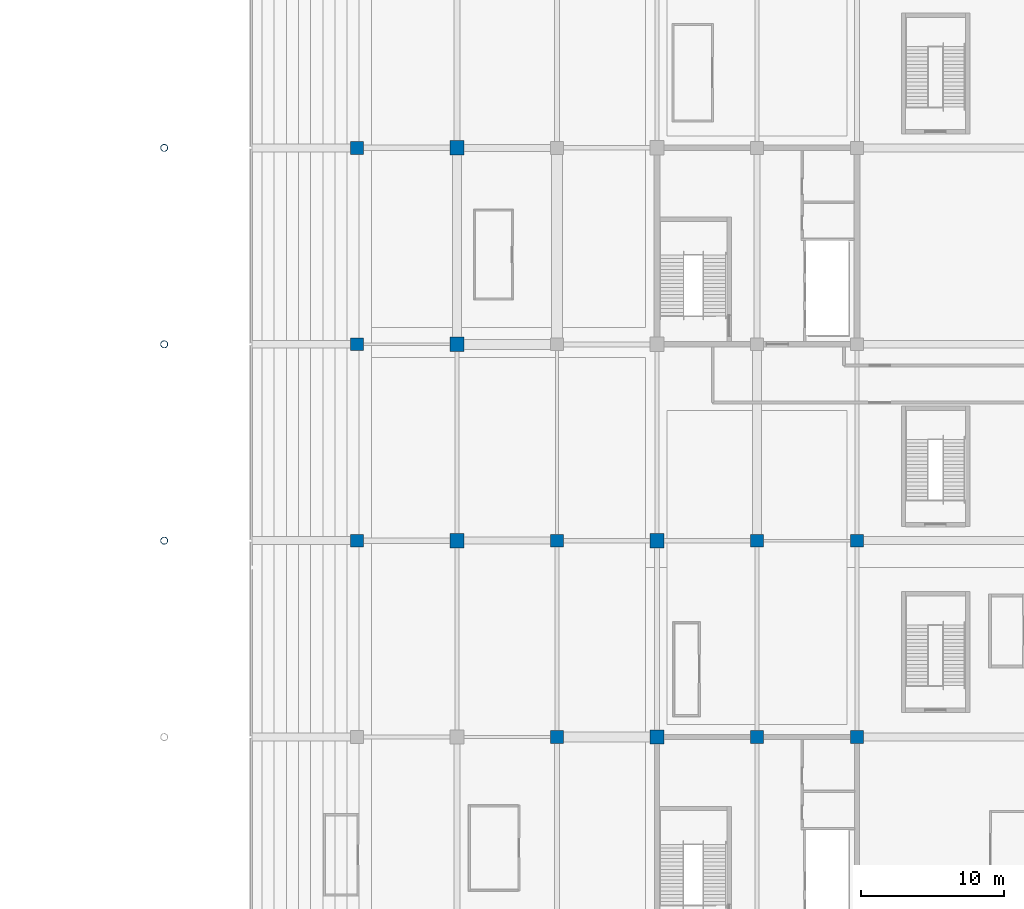
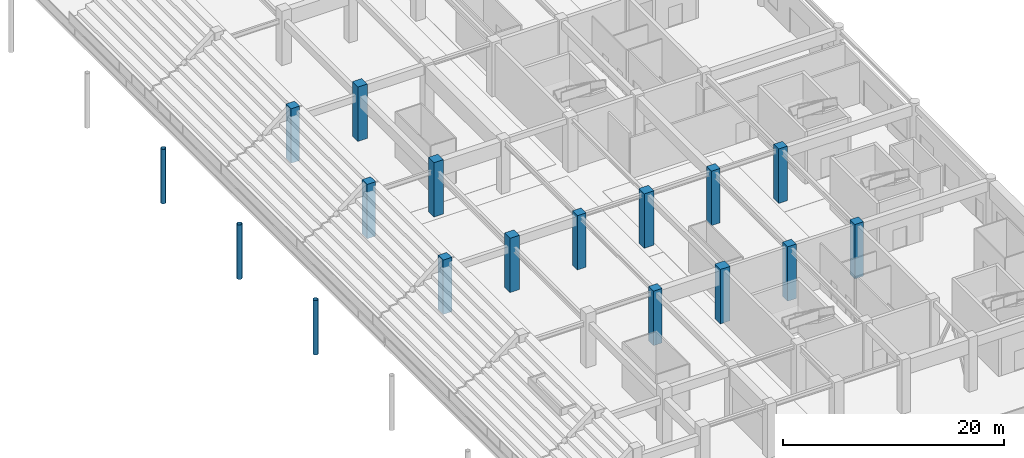
# One storey, part 13 of 73: 17 columns.
"""IFC4 building model written with IfcOpenShell, lengths in metres."""

from ifc_helpers import new_model, si_unit, direction, frame, origin, origin_2d, place, context, subcontext, project, spatial, rectangle, hollow_circle, extrude, material, material_profile, profile_set, type_object, element, save


model = new_model("IFC4")

# Units and contexts
model_context = context("Model", 3, precision=1e-05, world=origin(), true_north=direction((0.0, 1.0)))
body_context = subcontext(model_context, "Body", "Model", "MODEL_VIEW")
ifc_project = project(units=[si_unit("LENGTHUNIT", "METRE"), si_unit("AREAUNIT", "SQUARE_METRE"), si_unit("VOLUMEUNIT", "CUBIC_METRE"), si_unit("PLANEANGLEUNIT", "RADIAN"), si_unit("MASSUNIT", "GRAM", prefix="KILO")], contexts=[model_context])

# Site, building, storey
site_placement = place(None, origin())
site = spatial("IfcSite", under=ifc_project, at=site_placement, CompositionType="ELEMENT")
building_placement = place(site_placement, origin())
building = spatial("IfcBuilding", under=site, at=building_placement, Name="Linyun Crest Stadium", CompositionType="ELEMENT")
storey_placement = place(building_placement, origin())
storey = spatial("IfcBuildingStorey", under=building, at=storey_placement, Name="L01", CompositionType="ELEMENT", Elevation=0.0)

# Columns
ifc_material_1 = material(Name="Concrete C50", Category="concrete")
ifc_material_profile_1 = material_profile(ifc_material_1, rectangle(XDim=0.89990234375, YDim=0.89990234375, at=origin_2d()), Name="RC 900x900")
ifc_profile_set_1 = profile_set([ifc_material_profile_1], Name="Concrete C50")
column_type_1 = type_object("IfcColumnType", Name="C04", PredefinedType="COLUMN", material=ifc_profile_set_1)
for number, where, z_axis, x_axis, name in (
    (1, (49.0, -11.625, 0.0), (0.0, 0.0, 1.0), (1.0, 0.0, 0.0), "Column C04 L01 312"),
    (2, (49.0, 2.125, 0.0), (0.0, 0.0, 1.0), (1.0, 0.0, 0.0), "Column C04 L01 314"),
    (3, (49.0, 15.875, 0.0), (0.0, 0.0, 1.0), (1.0, 0.0, 0.0), "Column C04 L01 316"),
):
    element("IfcColumn", number, at=place(storey_placement, frame(where, z_axis=z_axis, x_axis=x_axis)), inside=storey, type_object=column_type_1, Name=name, PredefinedType="COLUMN", context=body_context, shape_type="SweptSolid", body=[
        extrude(rectangle(XDim=0.89990234375, YDim=0.89990234375, at=origin_2d()), origin(), (0.0, 0.0, 1.0), 6.0),
    ])
for number, where, z_axis, x_axis, name in (
    (4, (63.0, -25.375, 0.0), (0.0, 0.0, 1.0), (1.0, 0.0, 0.0), "Column C04 L01 364"),
    (5, (63.0, -11.625, 0.0), (0.0, 0.0, 1.0), (1.0, 0.0, 0.0), "Column C04 L01 369"),
    (6, (77.0, -25.375, 0.0), (0.0, 0.0, 1.0), (1.0, 0.0, 0.0), "Column C04 L01 452"),
    (7, (77.0, -11.625, 0.0), (0.0, 0.0, 1.0), (1.0, 0.0, 0.0), "Column C04 L01 457"),
    (8, (84.0, -25.375, 0.0), (0.0, 0.0, 1.0), (1.0, 0.0, 0.0), "Column C04 L01 494"),
    (9, (84.0, -11.625, 0.0), (0.0, 0.0, 1.0), (1.0, 0.0, 0.0), "Column C04 L01 500"),
):
    element("IfcColumn", number, at=place(storey_placement, frame(where, z_axis=z_axis, x_axis=x_axis)), inside=storey, type_object=column_type_1, Name=name, PredefinedType="COLUMN", context=body_context, shape_type="SweptSolid", body=[
        extrude(rectangle(XDim=0.89990234375, YDim=0.89990234375, at=origin_2d()), origin(), (0.0, 0.0, 1.0), 5.998046875),
    ])
ifc_material_2 = material(Name="Concrete C50", Category="concrete")
ifc_material_profile_2 = material_profile(ifc_material_2, rectangle(XDim=1.0, YDim=1.0, at=origin_2d()), Name="RC 1000x1000")
ifc_profile_set_2 = profile_set([ifc_material_profile_2], Name="Concrete C50")
column_type_2 = type_object("IfcColumnType", Name="C05", PredefinedType="COLUMN", material=ifc_profile_set_2)
for number, where, z_axis, x_axis, name in (
    (10, (56.0, -11.625, 0.0), (0.0, 0.0, 1.0), (1.0, 0.0, 0.0), "Column C05 L01 334"),
    (11, (56.0, 2.125, 0.0), (0.0, 0.0, 1.0), (1.0, 0.0, 0.0), "Column C05 L01 338"),
    (12, (56.0, 15.875, 0.0), (0.0, 0.0, 1.0), (1.0, 0.0, 0.0), "Column C05 L01 342"),
    (13, (70.0, -25.375, 0.0), (0.0, 0.0, 1.0), (1.0, 0.0, 0.0), "Column C05 L01 406"),
    (14, (70.0, -11.625, 0.0), (0.0, 0.0, 1.0), (1.0, 0.0, 0.0), "Column C05 L01 412"),
):
    element("IfcColumn", number, at=place(storey_placement, frame(where, z_axis=z_axis, x_axis=x_axis)), inside=storey, type_object=column_type_2, Name=name, PredefinedType="COLUMN", context=body_context, shape_type="SweptSolid", body=[
        extrude(rectangle(XDim=1.0, YDim=1.0, at=origin_2d()), origin(), (0.0, 0.0, 1.0), 5.998046875),
    ])
ifc_material_3 = material(Name="Steel Q355C", Category="steel")
ifc_material_profile_3 = material_profile(ifc_material_3, hollow_circle(Radius=0.25390625, WallThickness=0.02490234375, at=origin_2d()), Name="CHS 508x25")
ifc_profile_set_3 = profile_set([ifc_material_profile_3], Name="Steel Q355C")
column_type_3 = type_object("IfcColumnType", Name="SC05", PredefinedType="COLUMN", material=ifc_profile_set_3)
for number, where, z_axis, x_axis, name in (
    (15, (35.5, -11.625, 0.0), (0.0, 0.0, 1.0), (1.0, 0.0, 0.0), "Arch colonnade column SC05 L01 24"),
    (16, (35.5, 2.125, 0.0), (0.0, 0.0, 1.0), (1.0, 0.0, 0.0), "Arch colonnade column SC05 L01 26"),
    (17, (35.5, 15.875, 0.0), (0.0, 0.0, 1.0), (1.0, 0.0, 0.0), "Arch colonnade column SC05 L01 28"),
):
    element("IfcColumn", number, at=place(storey_placement, frame(where, z_axis=z_axis, x_axis=x_axis)), inside=storey, type_object=column_type_3, Name=name, PredefinedType="COLUMN", context=body_context, shape_type="SweptSolid", body=[
        extrude(hollow_circle(Radius=0.25390625, WallThickness=0.02490234375, at=origin_2d()), origin(), (0.0, 0.0, 1.0), 6.0),
    ])

save(model, "model.ifc")
